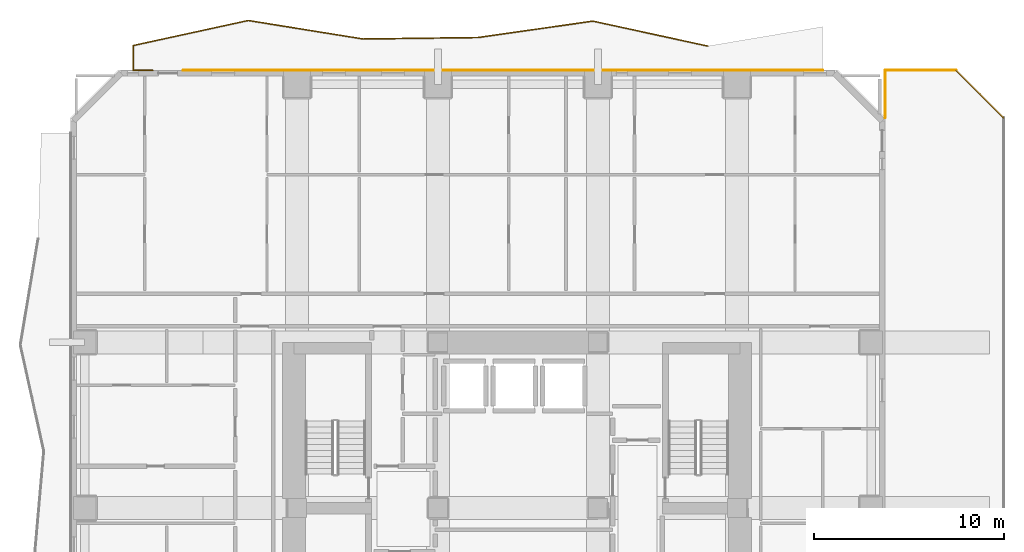
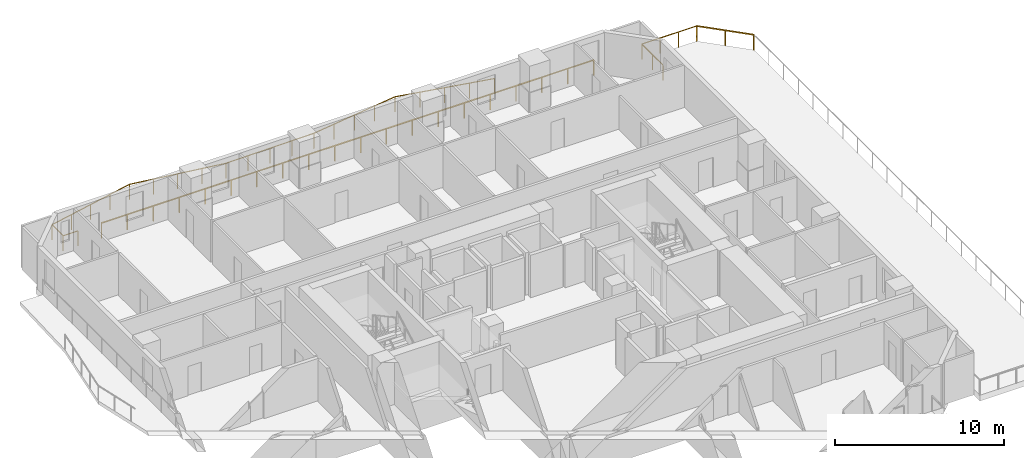
# One storey, part 12 of 12: 5 railings.
"""IFC4 building model written with IfcOpenShell, lengths in metres."""

from ifc_helpers import new_model, si_unit, direction, frame, origin, origin_2d, place, context, subcontext, project, spatial, rectangle, extrude, material, type_object, element, save


model = new_model("IFC4")

# Units and contexts
model_context = context("Model", 3, precision=1e-05, world=origin(), true_north=direction((0.0, 1.0)))
body_context = subcontext(model_context, "Body", "Model", "MODEL_VIEW")
ifc_project = project(units=[si_unit("LENGTHUNIT", "METRE"), si_unit("AREAUNIT", "SQUARE_METRE"), si_unit("VOLUMEUNIT", "CUBIC_METRE"), si_unit("PLANEANGLEUNIT", "RADIAN"), si_unit("MASSUNIT", "GRAM", prefix="KILO")], contexts=[model_context])

# Site, building, storey
site_placement = place(None, origin())
site = spatial("IfcSite", under=ifc_project, at=site_placement, CompositionType="ELEMENT")
building_placement = place(site_placement, origin())
building = spatial("IfcBuilding", under=site, at=building_placement, Name="Solanera Arch Residences", CompositionType="ELEMENT")
storey_placement = place(building_placement, frame((0.0, 0.0, 81.760009765625)))
storey = spatial("IfcBuildingStorey", under=building, at=storey_placement, Name="L23", CompositionType="ELEMENT", Elevation=81.760009765625)

# Railings
ifc_material = material(Name="Steel S355 (ASTM A992 / A572 Grade 50)", Category="steel")
railing_type = type_object("IfcRailingType", Name="Balustrade Railing BL-1100", PredefinedType="BALUSTRADE", material=ifc_material)
railing_1_placement = place(storey_placement, frame((34.967041015625, 54.9619140625, 0.0)))
element("IfcRailing", 1, at=railing_1_placement, inside=storey, type_object=railing_type, Name="L23 N Balcony Balustrade 1", PredefinedType="BALUSTRADE", context=body_context, shape_type="SweptSolid", body=[
    extrude(rectangle(XDim=0.048095703125, YDim=0.048095703125, at=origin_2d()), frame((0.0, 0.0, 1.09619140625), z_axis=(-0.977199553197, 0.212322945607, 0.0), x_axis=(-0.212322945607, -0.977199553197, 0.0)), (0.0, 0.0, 1.0), 6.1748046875),
    extrude(rectangle(XDim=0.048095703125, YDim=0.048095703125, at=origin_2d()), frame((-6.033935546875, 1.31103515625, 1.09619140625), z_axis=(-0.989973515625, -0.14125310036, 0.0), x_axis=(0.14125310036, -0.989973515625, 0.0)), (0.0, 0.0, 1.0), 6.09423828125),
    extrude(rectangle(XDim=0.048095703125, YDim=0.048095703125, at=origin_2d()), frame((-12.067138671875, 0.4501953125, 1.09619140625), z_axis=(-0.999916163198, -0.012948612854, 0.0), x_axis=(0.012948612854, -0.999916163198, 0.0)), (0.0, 0.0, 1.0), 6.033447265625),
    extrude(rectangle(XDim=0.048095703125, YDim=0.048095703125, at=origin_2d()), frame((-18.10009765625, 0.3720703125, 1.09619140625), z_axis=(-0.987274320338, 0.159026464466, 0.0), x_axis=(-0.159026464466, -0.987274320338, 0.0)), (0.0, 0.0, 1.0), 6.11181640625),
    extrude(rectangle(XDim=0.048095703125, YDim=0.048095703125, at=origin_2d()), frame((-24.134033203125, 1.343994140625, 1.09619140625), z_axis=(-0.977060955966, -0.212959827965, 0.0), x_axis=(0.212959827965, -0.977060955966, 0.0)), (0.0, 0.0, 1.0), 6.174560546875),
    extrude(rectangle(XDim=0.048095703125, YDim=0.048095703125, at=origin_2d()), frame((-30.1669921875, 0.029052734375, 1.09619140625), z_axis=(0.0, -1.0, 0.0), x_axis=(1.0, 0.0, 0.0)), (0.0, 0.0, 1.0), 1.31103515625),
    extrude(rectangle(XDim=0.048095703125, YDim=0.048095703125, at=origin_2d()), frame((-30.1669921875, -1.281982421875, 1.09619140625), z_axis=(1.0, 0.0, 0.0), x_axis=(0.0, 1.0, 0.0)), (0.0, 0.0, 1.0), 1.015869140625),
    extrude(rectangle(XDim=0.0419921875, YDim=0.0419921875, at=origin_2d()), origin(), (0.0, 0.0, 1.0), 1.072021484375),
    extrude(rectangle(XDim=0.0419921875, YDim=0.0419921875, at=origin_2d()), frame((-1.508544921875, 0.32763671875, 0.0)), (0.0, 0.0, 1.0), 1.072021484375),
    extrude(rectangle(XDim=0.0419921875, YDim=0.0419921875, at=origin_2d()), frame((-3.01708984375, 0.655517578125, 0.0)), (0.0, 0.0, 1.0), 1.072021484375),
    extrude(rectangle(XDim=0.0419921875, YDim=0.0419921875, at=origin_2d()), frame((-4.525390625, 0.9833984375, 0.0)), (0.0, 0.0, 1.0), 1.072021484375),
    extrude(rectangle(XDim=0.0419921875, YDim=0.0419921875, at=origin_2d()), frame((-6.033935546875, 1.31103515625, 0.0)), (0.0, 0.0, 1.0), 1.072021484375),
    extrude(rectangle(XDim=0.0419921875, YDim=0.0419921875, at=origin_2d()), frame((-7.542236328125, 1.095703125, 0.0)), (0.0, 0.0, 1.0), 1.072021484375),
    extrude(rectangle(XDim=0.0419921875, YDim=0.0419921875, at=origin_2d()), frame((-9.050537109375, 0.880615234375, 0.0)), (0.0, 0.0, 1.0), 1.072021484375),
    extrude(rectangle(XDim=0.0419921875, YDim=0.0419921875, at=origin_2d()), frame((-10.558837890625, 0.66552734375, 0.0)), (0.0, 0.0, 1.0), 1.072021484375),
    extrude(rectangle(XDim=0.0419921875, YDim=0.0419921875, at=origin_2d()), frame((-12.067138671875, 0.4501953125, 0.0)), (0.0, 0.0, 1.0), 1.072021484375),
    extrude(rectangle(XDim=0.0419921875, YDim=0.0419921875, at=origin_2d()), frame((-13.575439453125, 0.4306640625, 0.0)), (0.0, 0.0, 1.0), 1.072021484375),
    extrude(rectangle(XDim=0.0419921875, YDim=0.0419921875, at=origin_2d()), frame((-15.08349609375, 0.4111328125, 0.0)), (0.0, 0.0, 1.0), 1.072021484375),
    extrude(rectangle(XDim=0.0419921875, YDim=0.0419921875, at=origin_2d()), frame((-16.591796875, 0.3916015625, 0.0)), (0.0, 0.0, 1.0), 1.072021484375),
    extrude(rectangle(XDim=0.0419921875, YDim=0.0419921875, at=origin_2d()), frame((-18.10009765625, 0.3720703125, 0.0)), (0.0, 0.0, 1.0), 1.072021484375),
    extrude(rectangle(XDim=0.0419921875, YDim=0.0419921875, at=origin_2d()), frame((-19.608642578125, 0.614990234375, 0.0)), (0.0, 0.0, 1.0), 1.072021484375),
    extrude(rectangle(XDim=0.0419921875, YDim=0.0419921875, at=origin_2d()), frame((-21.1171875, 0.85791015625, 0.0)), (0.0, 0.0, 1.0), 1.072021484375),
    extrude(rectangle(XDim=0.0419921875, YDim=0.0419921875, at=origin_2d()), frame((-22.62548828125, 1.10107421875, 0.0)), (0.0, 0.0, 1.0), 1.072021484375),
    extrude(rectangle(XDim=0.0419921875, YDim=0.0419921875, at=origin_2d()), frame((-24.134033203125, 1.343994140625, 0.0)), (0.0, 0.0, 1.0), 1.072021484375),
    extrude(rectangle(XDim=0.0419921875, YDim=0.0419921875, at=origin_2d()), frame((-25.642333984375, 1.01513671875, 0.0)), (0.0, 0.0, 1.0), 1.072021484375),
    extrude(rectangle(XDim=0.0419921875, YDim=0.0419921875, at=origin_2d()), frame((-27.150390625, 0.6865234375, 0.0)), (0.0, 0.0, 1.0), 1.072021484375),
    extrude(rectangle(XDim=0.0419921875, YDim=0.0419921875, at=origin_2d()), frame((-28.65869140625, 0.35791015625, 0.0)), (0.0, 0.0, 1.0), 1.072021484375),
    extrude(rectangle(XDim=0.0419921875, YDim=0.0419921875, at=origin_2d()), frame((-30.1669921875, 0.029052734375, 0.0)), (0.0, 0.0, 1.0), 1.072021484375),
    extrude(rectangle(XDim=0.0419921875, YDim=0.0419921875, at=origin_2d()), frame((-30.1669921875, -1.281982421875, 0.0)), (0.0, 0.0, 1.0), 1.072021484375),
    extrude(rectangle(XDim=0.0419921875, YDim=0.0419921875, at=origin_2d()), frame((-29.151123046875, -1.281982421875, 0.0)), (0.0, 0.0, 1.0), 1.072021484375),
])
railing_2_placement = place(storey_placement, frame((7.416015625, 53.679931640625, 0.0)))
element("IfcRailing", 2, at=railing_2_placement, inside=storey, type_object=railing_type, Name="L23 N Balcony Balustrade 2", PredefinedType="BALUSTRADE", context=body_context, shape_type="SweptSolid", body=[
    extrude(rectangle(XDim=0.048095703125, YDim=0.048095703125, at=origin_2d()), frame((0.0, 0.0, 1.09619140625), z_axis=(1.0, 0.0, 0.0), x_axis=(0.0, 1.0, 0.0)), (0.0, 0.0, 1.0), 33.583984375),
    extrude(rectangle(XDim=0.0419921875, YDim=0.0419921875, at=origin_2d()), origin(), (0.0, 0.0, 1.0), 1.072021484375),
    extrude(rectangle(XDim=0.0419921875, YDim=0.0419921875, at=origin_2d()), frame((1.767578125, 0.0, 0.0)), (0.0, 0.0, 1.0), 1.072021484375),
    extrude(rectangle(XDim=0.0419921875, YDim=0.0419921875, at=origin_2d()), frame((3.53515625, 0.0, 0.0)), (0.0, 0.0, 1.0), 1.072021484375),
    extrude(rectangle(XDim=0.0419921875, YDim=0.0419921875, at=origin_2d()), frame((5.302734375, 0.0, 0.0)), (0.0, 0.0, 1.0), 1.072021484375),
    extrude(rectangle(XDim=0.0419921875, YDim=0.0419921875, at=origin_2d()), frame((7.0703125, 0.0, 0.0)), (0.0, 0.0, 1.0), 1.072021484375),
    extrude(rectangle(XDim=0.0419921875, YDim=0.0419921875, at=origin_2d()), frame((8.837890625, 0.0, 0.0)), (0.0, 0.0, 1.0), 1.072021484375),
    extrude(rectangle(XDim=0.0419921875, YDim=0.0419921875, at=origin_2d()), frame((10.60546875, 0.0, 0.0)), (0.0, 0.0, 1.0), 1.072021484375),
    extrude(rectangle(XDim=0.0419921875, YDim=0.0419921875, at=origin_2d()), frame((12.373046875, 0.0, 0.0)), (0.0, 0.0, 1.0), 1.072021484375),
    extrude(rectangle(XDim=0.0419921875, YDim=0.0419921875, at=origin_2d()), frame((14.140625, 0.0, 0.0)), (0.0, 0.0, 1.0), 1.072021484375),
    extrude(rectangle(XDim=0.0419921875, YDim=0.0419921875, at=origin_2d()), frame((15.908203125, 0.0, 0.0)), (0.0, 0.0, 1.0), 1.072021484375),
    extrude(rectangle(XDim=0.0419921875, YDim=0.0419921875, at=origin_2d()), frame((17.67578125, 0.0, 0.0)), (0.0, 0.0, 1.0), 1.072021484375),
    extrude(rectangle(XDim=0.0419921875, YDim=0.0419921875, at=origin_2d()), frame((19.443359375, 0.0, 0.0)), (0.0, 0.0, 1.0), 1.072021484375),
    extrude(rectangle(XDim=0.0419921875, YDim=0.0419921875, at=origin_2d()), frame((21.2109375, 0.0, 0.0)), (0.0, 0.0, 1.0), 1.072021484375),
    extrude(rectangle(XDim=0.0419921875, YDim=0.0419921875, at=origin_2d()), frame((22.978515625, 0.0, 0.0)), (0.0, 0.0, 1.0), 1.072021484375),
    extrude(rectangle(XDim=0.0419921875, YDim=0.0419921875, at=origin_2d()), frame((24.74609375, 0.0, 0.0)), (0.0, 0.0, 1.0), 1.072021484375),
    extrude(rectangle(XDim=0.0419921875, YDim=0.0419921875, at=origin_2d()), frame((26.513671875, 0.0, 0.0)), (0.0, 0.0, 1.0), 1.072021484375),
    extrude(rectangle(XDim=0.0419921875, YDim=0.0419921875, at=origin_2d()), frame((28.28125, 0.0, 0.0)), (0.0, 0.0, 1.0), 1.072021484375),
    extrude(rectangle(XDim=0.0419921875, YDim=0.0419921875, at=origin_2d()), frame((30.048828125, 0.0, 0.0)), (0.0, 0.0, 1.0), 1.072021484375),
    extrude(rectangle(XDim=0.0419921875, YDim=0.0419921875, at=origin_2d()), frame((31.81640625, 0.0, 0.0)), (0.0, 0.0, 1.0), 1.072021484375),
    extrude(rectangle(XDim=0.0419921875, YDim=0.0419921875, at=origin_2d()), frame((33.583984375, 0.0, 0.0)), (0.0, 0.0, 1.0), 1.072021484375),
])
railing_3_placement = place(storey_placement, frame((48.02001953125, 53.679931640625, 0.0)))
element("IfcRailing", 3, at=railing_3_placement, inside=storey, type_object=railing_type, Name="L23 Sky Terrace Guardrail 1", PredefinedType="BALUSTRADE", context=body_context, shape_type="SweptSolid", body=[
    extrude(rectangle(XDim=0.048095703125, YDim=0.048095703125, at=origin_2d()), frame((0.0, 0.0, 1.09619140625), z_axis=(-1.0, 0.0, 0.0), x_axis=(0.0, -1.0, 0.0)), (0.0, 0.0, 1.0), 3.739990234375),
    extrude(rectangle(XDim=0.0419921875, YDim=0.0419921875, at=origin_2d()), origin(), (0.0, 0.0, 1.0), 1.072021484375),
    extrude(rectangle(XDim=0.0419921875, YDim=0.0419921875, at=origin_2d()), frame((-1.24658203125, 0.0, 0.0)), (0.0, 0.0, 1.0), 1.072021484375),
    extrude(rectangle(XDim=0.0419921875, YDim=0.0419921875, at=origin_2d()), frame((-2.493408203125, 0.0, 0.0)), (0.0, 0.0, 1.0), 1.072021484375),
    extrude(rectangle(XDim=0.0419921875, YDim=0.0419921875, at=origin_2d()), frame((-3.739990234375, 0.0, 0.0)), (0.0, 0.0, 1.0), 1.072021484375),
])
railing_4_placement = place(storey_placement, frame((44.280029296875, 53.679931640625, 0.0)))
element("IfcRailing", 4, at=railing_4_placement, inside=storey, type_object=railing_type, Name="L23 Sky Terrace Guardrail 1", PredefinedType="BALUSTRADE", context=body_context, shape_type="SweptSolid", body=[
    extrude(rectangle(XDim=0.048095703125, YDim=0.048095703125, at=origin_2d()), frame((0.0, 0.0, 1.09619140625), z_axis=(0.0, -1.0, 0.0), x_axis=(1.0, 0.0, 0.0)), (0.0, 0.0, 1.0), 2.488037109375),
    extrude(rectangle(XDim=0.0419921875, YDim=0.0419921875, at=origin_2d()), origin(), (0.0, 0.0, 1.0), 1.072021484375),
    extrude(rectangle(XDim=0.0419921875, YDim=0.0419921875, at=origin_2d()), frame((0.0, -1.244140625, 0.0)), (0.0, 0.0, 1.0), 1.072021484375),
    extrude(rectangle(XDim=0.0419921875, YDim=0.0419921875, at=origin_2d()), frame((0.0, -2.488037109375, 0.0)), (0.0, 0.0, 1.0), 1.072021484375),
])
railing_5_placement = place(storey_placement, frame((50.5, 51.199951171875, 0.0)))
element("IfcRailing", 5, at=railing_5_placement, inside=storey, type_object=railing_type, Name="L23 Sky Terrace Guardrail 1", PredefinedType="BALUSTRADE", context=body_context, shape_type="SweptSolid", body=[
    extrude(rectangle(XDim=0.048095703125, YDim=0.048095703125, at=origin_2d()), frame((0.0, 0.0, 1.09619140625), z_axis=(-0.707106781187, 0.707106781187, 0.0), x_axis=(-0.707106781187, -0.707106781187, 0.0)), (0.0, 0.0, 1.0), 3.50732421875),
    extrude(rectangle(XDim=0.0419921875, YDim=0.0419921875, at=origin_2d()), origin(), (0.0, 0.0, 1.0), 1.072021484375),
    extrude(rectangle(XDim=0.0419921875, YDim=0.0419921875, at=origin_2d()), frame((-1.239990234375, 1.239990234375, 0.0)), (0.0, 0.0, 1.0), 1.072021484375),
    extrude(rectangle(XDim=0.0419921875, YDim=0.0419921875, at=origin_2d()), frame((-2.47998046875, 2.47998046875, 0.0)), (0.0, 0.0, 1.0), 1.072021484375),
])

save(model, "model.ifc")
